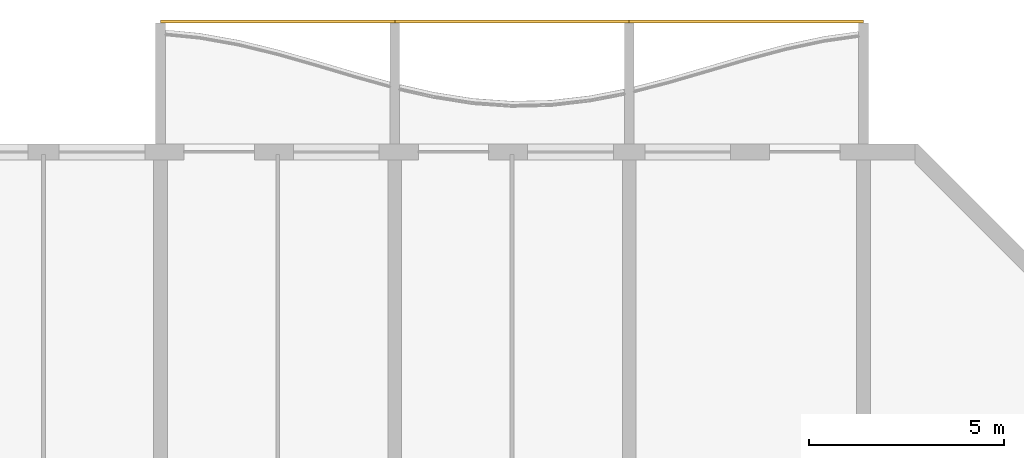
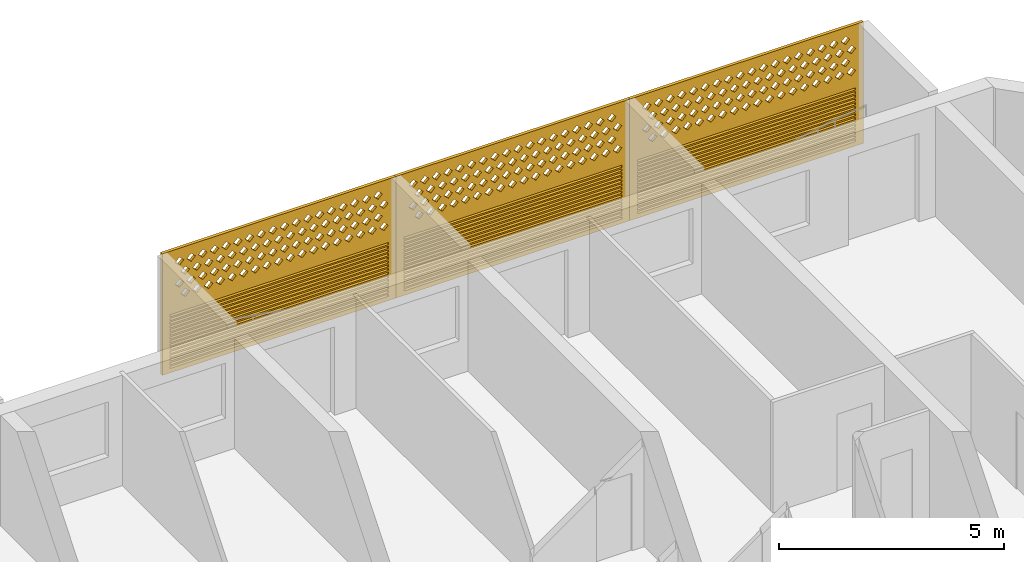
# One storey, part 24 of 24: 3 coverings.
"""IFC4 building model written with IfcOpenShell, lengths in metres."""

import ifcopenshell
import ifcopenshell.guid

model = None  # the IFC model being written
_history = None  # IfcOwnerHistory: only IFC2X3 demands one
_inside = {}  # id of a spatial element -> (the spatial element, [elements in it])
_under = {}  # id of a project, library or spatial element -> (it, [spatial elements below it])
_declared = {}  # id of a project -> (the project, [libraries it declares])
_typed = {}  # id of a type object -> (the type object, [elements of that type])
_made_of = {}  # id of a material, layer set ... -> (it, [elements and type objects made of it])


def new_model(schema):
    """Start an empty IFC model of exactly this schema.

    Asked for "IFC4X3", IfcOpenShell would pick the latest addendum, in which some entities
    have other attributes; the version numbers below select the first issue.
    IFC2X3 requires an IfcOwnerHistory on every rooted entity: one is made here for all.
    """
    global model, _history
    if schema == "IFC4X3":
        model = ifcopenshell.file(schema_version=(4, 3, 0, 0))
    else:
        model = ifcopenshell.file(schema=schema)
    _inside.clear()
    _under.clear()
    _declared.clear()
    _typed.clear()
    _made_of.clear()
    _history = None
    if model.schema == "IFC2X3":
        org = make("IfcOrganization", Name="unknown")
        user = make(
            "IfcPersonAndOrganization",
            ThePerson=make("IfcPerson", FamilyName="unknown"),
            TheOrganization=org,
        )
        app = make(
            "IfcApplication",
            ApplicationDeveloper=org,
            Version="unknown",
            ApplicationFullName="unknown",
            ApplicationIdentifier="unknown",
        )
        _history = make(
            "IfcOwnerHistory",
            OwningUser=user,
            OwningApplication=app,
            ChangeAction="ADDED",
            CreationDate=0,
        )
    return model


def make(cls, **values):
    """One entity of the class cls with the attributes given. An attribute that is None is left unset."""
    return model.create_entity(
        cls, **{name: value for name, value in values.items() if value is not None}
    )


def rooted(cls, **values):
    """An entity with a GlobalId (a new one), such as an element, a storey or a relation."""
    return make(cls, GlobalId=ifcopenshell.guid.new(), OwnerHistory=_history, **values)


def si_unit(unit_type, name, prefix=None):
    """IfcSIUnit, for example si_unit("LENGTHUNIT", "METRE", prefix="MILLI")."""
    return make("IfcSIUnit", UnitType=unit_type, Prefix=prefix, Name=name)


def assignment(units):
    """IfcUnitAssignment: the units of a project."""
    return None if units is None else make("IfcUnitAssignment", Units=units)


def point(xyz):
    """IfcCartesianPoint."""
    return None if xyz is None else make("IfcCartesianPoint", Coordinates=xyz)


def direction(xyz):
    """IfcDirection."""
    return None if xyz is None else make("IfcDirection", DirectionRatios=xyz)


def frame(location, z_axis=None, x_axis=None):
    """IfcAxis2Placement3D, a coordinate frame: its origin and axes. An axis left out is left unset."""
    return make(
        "IfcAxis2Placement3D",
        Location=point(location),
        Axis=direction(z_axis),
        RefDirection=direction(x_axis),
    )


def origin():
    """The frame at (0, 0, 0) with its axes left unset."""
    return frame((0.0, 0.0, 0.0))


def place(relative_to, where):
    """IfcLocalPlacement: puts the frame where relative to a parent placement (None: the world)."""
    return make(
        "IfcLocalPlacement", PlacementRelTo=relative_to, RelativePlacement=where
    )


def context(
    kind, dimensions, precision=None, world=None, true_north=None, identifier=None
):
    """IfcGeometricRepresentationContext, for example the 3D "Model" context."""
    return make(
        "IfcGeometricRepresentationContext",
        ContextIdentifier=identifier,
        ContextType=kind,
        CoordinateSpaceDimension=dimensions,
        Precision=precision,
        WorldCoordinateSystem=world,
        TrueNorth=true_north,
    )


def subcontext(parent, identifier, kind, view, scale=None):
    """IfcGeometricRepresentationSubContext, for example "Body" below "Model"."""
    return make(
        "IfcGeometricRepresentationSubContext",
        ContextIdentifier=identifier,
        ContextType=kind,
        ParentContext=parent,
        TargetScale=scale,
        TargetView=view,
    )


def project(units=None, contexts=None):
    """IfcProject with its units and contexts."""
    return rooted(
        "IfcProject",
        Name="project",
        RepresentationContexts=contexts,
        UnitsInContext=assignment(units),
    )


def spatial(cls, under=None, at=None, **own):
    """A site, building, storey or space (cls), placed at a placement, below another one or the project."""
    s = rooted(cls, ObjectPlacement=at, **own)
    if under is not None:
        _under.setdefault(under.id(), (under, []))[1].append(s)
    return s


def polyline(points):
    """IfcPolyline through the points."""
    return make("IfcPolyline", Points=[point(p) for p in points])


def outline(outer, holes=None, kind="AREA"):
    """IfcArbitraryClosedProfileDef: a profile drawn as a closed curve; with holes, ...WithVoids."""
    if holes is None:
        return make("IfcArbitraryClosedProfileDef", ProfileType=kind, OuterCurve=outer)
    return make(
        "IfcArbitraryProfileDefWithVoids",
        ProfileType=kind,
        OuterCurve=outer,
        InnerCurves=holes,
    )


def extrude(swept, where, along, depth):
    """IfcExtrudedAreaSolid: the profile swept, set in the frame where, extruded along a direction by depth."""
    return make(
        "IfcExtrudedAreaSolid",
        SweptArea=swept,
        Position=where,
        ExtrudedDirection=direction(along),
        Depth=depth,
    )


def shape(context_of_items, identifier, shape_type, items):
    """IfcShapeRepresentation: the items that make up one representation, for example the "Body"."""
    return make(
        "IfcShapeRepresentation",
        ContextOfItems=context_of_items,
        RepresentationIdentifier=identifier,
        RepresentationType=shape_type,
        Items=items,
    )


def source(mapping_origin, context_of_items, identifier, shape_type, items):
    """IfcRepresentationMap: a shape defined once, which mapped items show again and again."""
    return make(
        "IfcRepresentationMap",
        MappingOrigin=mapping_origin,
        MappedRepresentation=shape(context_of_items, identifier, shape_type, items),
    )


def transform(
    local_origin,
    x_axis=None,
    y_axis=None,
    z_axis=None,
    scale=None,
    scale2=None,
    scale3=None,
    uniform=True,
):
    """IfcCartesianTransformationOperator3D, or its non-uniform kind. x_axis, y_axis, z_axis: its Axis1, 2, 3."""
    if uniform:
        return make(
            "IfcCartesianTransformationOperator3D",
            Axis1=direction(x_axis),
            Axis2=direction(y_axis),
            LocalOrigin=point(local_origin),
            Scale=scale,
            Axis3=direction(z_axis),
        )
    return make(
        "IfcCartesianTransformationOperator3DnonUniform",
        Axis1=direction(x_axis),
        Axis2=direction(y_axis),
        LocalOrigin=point(local_origin),
        Scale=scale,
        Axis3=direction(z_axis),
        Scale2=scale2,
        Scale3=scale3,
    )


def mapped(mapping_source, mapping_target):
    """IfcMappedItem: shows the shape of a source again, moved by a transform."""
    return make(
        "IfcMappedItem", MappingSource=mapping_source, MappingTarget=mapping_target
    )


def material(Name=None, Category=None):
    """IfcMaterial."""
    return make("IfcMaterial", Name=Name, Category=Category)


def material_profile(
    of_material, cross_section, Name=None, Category=None, Priority=None
):
    """IfcMaterialProfile: a cross section and its material."""
    return make(
        "IfcMaterialProfile",
        Name=Name,
        Material=of_material,
        Profile=cross_section,
        Priority=Priority,
        Category=Category,
    )


def profile_set(profiles, Name=None, composite=None):
    """IfcMaterialProfileSet."""
    return make(
        "IfcMaterialProfileSet",
        Name=Name,
        MaterialProfiles=profiles,
        CompositeProfile=composite,
    )


def made_of(thing, what):
    """Note that an element or type object is made of a material, layer set ...; save() writes the relation."""
    if what is not None:
        _made_of.setdefault(what.id(), (what, []))[1].append(thing)
    return thing


def type_object(cls, material=None, **own):
    """A type object (cls), such as IfcWallType, which elements share."""
    return made_of(rooted(cls, **own), material)


def element(
    cls,
    number,
    at=None,
    inside=None,
    cuts=None,
    type_object=None,
    material=None,
    context=None,
    identifier="Body",
    shape_type=None,
    held_by="IfcProductDefinitionShape",
    body=None,
    shapes=None,
    **own,
):
    """One element of the class cls, such as IfcWall. Its Tag is "e" and its number.

    at: its placement. inside: the storey or other place that contains it. cuts: it is an
    opening in that element (IfcRelVoidsElement). A single representation is given by context,
    identifier, shape_type and body (its items); several are given by shapes. held_by: the class
    of the entity that holds the representations. save() writes the other relations.
    """
    e = rooted(cls, Tag="e%d" % number, ObjectPlacement=at, **own)
    if body is not None:
        shapes = [shape(context, identifier, shape_type, body)]
    if shapes is not None:
        e.Representation = make(held_by, Representations=shapes)
    if inside is not None:
        _inside.setdefault(inside.id(), (inside, []))[1].append(e)
    if cuts is not None:
        rooted(
            "IfcRelVoidsElement", RelatingBuildingElement=cuts, RelatedOpeningElement=e
        )
    if type_object is not None:
        _typed.setdefault(type_object.id(), (type_object, []))[1].append(e)
    return made_of(e, material)


def aggregate(whole, parts):
    """IfcRelAggregates: a whole, such as a stair, and the parts it consists of."""
    return rooted("IfcRelAggregates", RelatingObject=whole, RelatedObjects=parts)


def save(model, path):
    """Write the relations noted so far, then the file.

    IfcRelAggregates (storeys below a building ...), IfcRelContainedInSpatialStructure (elements
    in a storey), IfcRelDefinesByType, IfcRelAssociatesMaterial and IfcRelDeclares: one each for
    every whole, place, type object, material and project.
    """
    for whole, parts in _under.values():
        aggregate(whole, parts)
    for where, things in _inside.values():
        rooted(
            "IfcRelContainedInSpatialStructure",
            RelatedElements=things,
            RelatingStructure=where,
        )
    for kind, things in _typed.values():
        rooted("IfcRelDefinesByType", RelatedObjects=things, RelatingType=kind)
    for what, things in _made_of.values():
        rooted("IfcRelAssociatesMaterial", RelatedObjects=things, RelatingMaterial=what)
    for by, libraries in _declared.values():
        rooted("IfcRelDeclares", RelatingContext=by, RelatedDefinitions=libraries)
    model.write(path)


model = new_model("IFC4")

# Units and contexts
model_context = context("Model", 3, precision=1e-05, world=origin(), true_north=direction((0.0, 1.0)))
body_context = subcontext(model_context, "Body", "Model", "MODEL_VIEW")
ifc_project = project(units=[si_unit("LENGTHUNIT", "METRE"), si_unit("AREAUNIT", "SQUARE_METRE"), si_unit("VOLUMEUNIT", "CUBIC_METRE"), si_unit("PLANEANGLEUNIT", "RADIAN"), si_unit("MASSUNIT", "GRAM", prefix="KILO")], contexts=[model_context])

# Site, building, storey
site_placement = place(None, origin())
site = spatial("IfcSite", under=ifc_project, at=site_placement, CompositionType="ELEMENT")
building_placement = place(site_placement, origin())
building = spatial("IfcBuilding", under=site, at=building_placement, Name="Poui Terraces", CompositionType="ELEMENT")
storey_placement = place(building_placement, frame((0.0, 0.0, 102.60009765625)))
storey = spatial("IfcBuildingStorey", under=building, at=storey_placement, Name="L28", CompositionType="ELEMENT", Elevation=102.60009765625)

# Coverings
ifc_material = material(Name="Terracotta screen", Category="masonry")
ifc_material_profile = material_profile(ifc_material, outline(polyline([(-3.0, -1.64990234375), (3.0, -1.64990234375), (3.0, 1.64990234375), (-3.0, 1.64990234375), (-3.0, -1.64990234375)]), holes=[polyline([(-2.800048828125, 0.39990234375), (-2.68994140625, 0.2900390625), (-2.580078125, 0.39990234375), (-2.68994140625, 0.510009765625), (-2.800048828125, 0.39990234375)]), polyline([(-2.5, 0.39990234375), (-2.389892578125, 0.2900390625), (-2.280029296875, 0.39990234375), (-2.389892578125, 0.510009765625), (-2.5, 0.39990234375)]), polyline([(-2.199951171875, 0.39990234375), (-2.090087890625, 0.2900390625), (-1.97998046875, 0.39990234375), (-2.090087890625, 0.510009765625), (-2.199951171875, 0.39990234375)]), polyline([(-1.89990234375, 0.39990234375), (-1.7900390625, 0.2900390625), (-1.679931640625, 0.39990234375), (-1.7900390625, 0.510009765625), (-1.89990234375, 0.39990234375)]), polyline([(-1.60009765625, 0.39990234375), (-1.489990234375, 0.2900390625), (-1.3798828125, 0.39990234375), (-1.489990234375, 0.510009765625), (-1.60009765625, 0.39990234375)]), polyline([(-1.300048828125, 0.39990234375), (-1.18994140625, 0.2900390625), (-1.080078125, 0.39990234375), (-1.18994140625, 0.510009765625), (-1.300048828125, 0.39990234375)]), polyline([(-1.0, 0.39990234375), (-0.889892578125, 0.2900390625), (-0.780029296875, 0.39990234375), (-0.889892578125, 0.510009765625), (-1.0, 0.39990234375)]), polyline([(-0.699951171875, 0.39990234375), (-0.590087890625, 0.2900390625), (-0.47998046875, 0.39990234375), (-0.590087890625, 0.510009765625), (-0.699951171875, 0.39990234375)]), polyline([(-0.39990234375, 0.39990234375), (-0.2900390625, 0.2900390625), (-0.179931640625, 0.39990234375), (-0.2900390625, 0.510009765625), (-0.39990234375, 0.39990234375)]), polyline([(-0.10009765625, 0.39990234375), (0.010009765625, 0.2900390625), (0.1201171875, 0.39990234375), (0.010009765625, 0.510009765625), (-0.10009765625, 0.39990234375)]), polyline([(0.199951171875, 0.39990234375), (0.31005859375, 0.2900390625), (0.419921875, 0.39990234375), (0.31005859375, 0.510009765625), (0.199951171875, 0.39990234375)]), polyline([(0.5, 0.39990234375), (0.610107421875, 0.2900390625), (0.719970703125, 0.39990234375), (0.610107421875, 0.510009765625), (0.5, 0.39990234375)]), polyline([(0.800048828125, 0.39990234375), (0.909912109375, 0.2900390625), (1.02001953125, 0.39990234375), (0.909912109375, 0.510009765625), (0.800048828125, 0.39990234375)]), polyline([(1.10009765625, 0.39990234375), (1.2099609375, 0.2900390625), (1.320068359375, 0.39990234375), (1.2099609375, 0.510009765625), (1.10009765625, 0.39990234375)]), polyline([(1.39990234375, 0.39990234375), (1.510009765625, 0.2900390625), (1.6201171875, 0.39990234375), (1.510009765625, 0.510009765625), (1.39990234375, 0.39990234375)]), polyline([(1.699951171875, 0.39990234375), (1.81005859375, 0.2900390625), (1.919921875, 0.39990234375), (1.81005859375, 0.510009765625), (1.699951171875, 0.39990234375)]), polyline([(2.0, 0.39990234375), (2.110107421875, 0.2900390625), (2.219970703125, 0.39990234375), (2.110107421875, 0.510009765625), (2.0, 0.39990234375)]), polyline([(2.300048828125, 0.39990234375), (2.409912109375, 0.2900390625), (2.52001953125, 0.39990234375), (2.409912109375, 0.510009765625), (2.300048828125, 0.39990234375)]), polyline([(-2.64990234375, 0.699951171875), (-2.5400390625, 0.590087890625), (-2.429931640625, 0.699951171875), (-2.5400390625, 0.81005859375), (-2.64990234375, 0.699951171875)]), polyline([(-2.35009765625, 0.699951171875), (-2.239990234375, 0.590087890625), (-2.1298828125, 0.699951171875), (-2.239990234375, 0.81005859375), (-2.35009765625, 0.699951171875)]), polyline([(-2.050048828125, 0.699951171875), (-1.93994140625, 0.590087890625), (-1.830078125, 0.699951171875), (-1.93994140625, 0.81005859375), (-2.050048828125, 0.699951171875)]), polyline([(-1.75, 0.699951171875), (-1.639892578125, 0.590087890625), (-1.530029296875, 0.699951171875), (-1.639892578125, 0.81005859375), (-1.75, 0.699951171875)]), polyline([(-1.449951171875, 0.699951171875), (-1.340087890625, 0.590087890625), (-1.22998046875, 0.699951171875), (-1.340087890625, 0.81005859375), (-1.449951171875, 0.699951171875)]), polyline([(-1.14990234375, 0.699951171875), (-1.0400390625, 0.590087890625), (-0.929931640625, 0.699951171875), (-1.0400390625, 0.81005859375), (-1.14990234375, 0.699951171875)]), polyline([(-0.85009765625, 0.699951171875), (-0.739990234375, 0.590087890625), (-0.6298828125, 0.699951171875), (-0.739990234375, 0.81005859375), (-0.85009765625, 0.699951171875)]), polyline([(-0.550048828125, 0.699951171875), (-0.43994140625, 0.590087890625), (-0.330078125, 0.699951171875), (-0.43994140625, 0.81005859375), (-0.550048828125, 0.699951171875)]), polyline([(-0.25, 0.699951171875), (-0.139892578125, 0.590087890625), (-0.030029296875, 0.699951171875), (-0.139892578125, 0.81005859375), (-0.25, 0.699951171875)]), polyline([(0.050048828125, 0.699951171875), (0.159912109375, 0.590087890625), (0.27001953125, 0.699951171875), (0.159912109375, 0.81005859375), (0.050048828125, 0.699951171875)]), polyline([(0.35009765625, 0.699951171875), (0.4599609375, 0.590087890625), (0.570068359375, 0.699951171875), (0.4599609375, 0.81005859375), (0.35009765625, 0.699951171875)]), polyline([(0.64990234375, 0.699951171875), (0.760009765625, 0.590087890625), (0.8701171875, 0.699951171875), (0.760009765625, 0.81005859375), (0.64990234375, 0.699951171875)]), polyline([(0.949951171875, 0.699951171875), (1.06005859375, 0.590087890625), (1.169921875, 0.699951171875), (1.06005859375, 0.81005859375), (0.949951171875, 0.699951171875)]), polyline([(1.25, 0.699951171875), (1.360107421875, 0.590087890625), (1.469970703125, 0.699951171875), (1.360107421875, 0.81005859375), (1.25, 0.699951171875)]), polyline([(1.550048828125, 0.699951171875), (1.659912109375, 0.590087890625), (1.77001953125, 0.699951171875), (1.659912109375, 0.81005859375), (1.550048828125, 0.699951171875)]), polyline([(1.85009765625, 0.699951171875), (1.9599609375, 0.590087890625), (2.070068359375, 0.699951171875), (1.9599609375, 0.81005859375), (1.85009765625, 0.699951171875)]), polyline([(2.14990234375, 0.699951171875), (2.260009765625, 0.590087890625), (2.3701171875, 0.699951171875), (2.260009765625, 0.81005859375), (2.14990234375, 0.699951171875)]), polyline([(2.449951171875, 0.699951171875), (2.56005859375, 0.590087890625), (2.669921875, 0.699951171875), (2.56005859375, 0.81005859375), (2.449951171875, 0.699951171875)]), polyline([(-2.800048828125, 1.0), (-2.68994140625, 0.889892578125), (-2.580078125, 1.0), (-2.68994140625, 1.110107421875), (-2.800048828125, 1.0)]), polyline([(-2.5, 1.0), (-2.389892578125, 0.889892578125), (-2.280029296875, 1.0), (-2.389892578125, 1.110107421875), (-2.5, 1.0)]), polyline([(-2.199951171875, 1.0), (-2.090087890625, 0.889892578125), (-1.97998046875, 1.0), (-2.090087890625, 1.110107421875), (-2.199951171875, 1.0)]), polyline([(-1.89990234375, 1.0), (-1.7900390625, 0.889892578125), (-1.679931640625, 1.0), (-1.7900390625, 1.110107421875), (-1.89990234375, 1.0)]), polyline([(-1.60009765625, 1.0), (-1.489990234375, 0.889892578125), (-1.3798828125, 1.0), (-1.489990234375, 1.110107421875), (-1.60009765625, 1.0)]), polyline([(-1.300048828125, 1.0), (-1.18994140625, 0.889892578125), (-1.080078125, 1.0), (-1.18994140625, 1.110107421875), (-1.300048828125, 1.0)]), polyline([(-1.0, 1.0), (-0.889892578125, 0.889892578125), (-0.780029296875, 1.0), (-0.889892578125, 1.110107421875), (-1.0, 1.0)]), polyline([(-0.699951171875, 1.0), (-0.590087890625, 0.889892578125), (-0.47998046875, 1.0), (-0.590087890625, 1.110107421875), (-0.699951171875, 1.0)]), polyline([(-0.39990234375, 1.0), (-0.2900390625, 0.889892578125), (-0.179931640625, 1.0), (-0.2900390625, 1.110107421875), (-0.39990234375, 1.0)]), polyline([(-0.10009765625, 1.0), (0.010009765625, 0.889892578125), (0.1201171875, 1.0), (0.010009765625, 1.110107421875), (-0.10009765625, 1.0)]), polyline([(0.199951171875, 1.0), (0.31005859375, 0.889892578125), (0.419921875, 1.0), (0.31005859375, 1.110107421875), (0.199951171875, 1.0)]), polyline([(0.5, 1.0), (0.610107421875, 0.889892578125), (0.719970703125, 1.0), (0.610107421875, 1.110107421875), (0.5, 1.0)]), polyline([(0.800048828125, 1.0), (0.909912109375, 0.889892578125), (1.02001953125, 1.0), (0.909912109375, 1.110107421875), (0.800048828125, 1.0)]), polyline([(1.10009765625, 1.0), (1.2099609375, 0.889892578125), (1.320068359375, 1.0), (1.2099609375, 1.110107421875), (1.10009765625, 1.0)]), polyline([(1.39990234375, 1.0), (1.510009765625, 0.889892578125), (1.6201171875, 1.0), (1.510009765625, 1.110107421875), (1.39990234375, 1.0)]), polyline([(1.699951171875, 1.0), (1.81005859375, 0.889892578125), (1.919921875, 1.0), (1.81005859375, 1.110107421875), (1.699951171875, 1.0)]), polyline([(2.0, 1.0), (2.110107421875, 0.889892578125), (2.219970703125, 1.0), (2.110107421875, 1.110107421875), (2.0, 1.0)]), polyline([(2.300048828125, 1.0), (2.409912109375, 0.889892578125), (2.52001953125, 1.0), (2.409912109375, 1.110107421875), (2.300048828125, 1.0)]), polyline([(-2.64990234375, 1.300048828125), (-2.5400390625, 1.18994140625), (-2.429931640625, 1.300048828125), (-2.5400390625, 1.409912109375), (-2.64990234375, 1.300048828125)]), polyline([(-2.35009765625, 1.300048828125), (-2.239990234375, 1.18994140625), (-2.1298828125, 1.300048828125), (-2.239990234375, 1.409912109375), (-2.35009765625, 1.300048828125)]), polyline([(-2.050048828125, 1.300048828125), (-1.93994140625, 1.18994140625), (-1.830078125, 1.300048828125), (-1.93994140625, 1.409912109375), (-2.050048828125, 1.300048828125)]), polyline([(-1.75, 1.300048828125), (-1.639892578125, 1.18994140625), (-1.530029296875, 1.300048828125), (-1.639892578125, 1.409912109375), (-1.75, 1.300048828125)]), polyline([(-1.449951171875, 1.300048828125), (-1.340087890625, 1.18994140625), (-1.22998046875, 1.300048828125), (-1.340087890625, 1.409912109375), (-1.449951171875, 1.300048828125)]), polyline([(-1.14990234375, 1.300048828125), (-1.0400390625, 1.18994140625), (-0.929931640625, 1.300048828125), (-1.0400390625, 1.409912109375), (-1.14990234375, 1.300048828125)]), polyline([(-0.85009765625, 1.300048828125), (-0.739990234375, 1.18994140625), (-0.6298828125, 1.300048828125), (-0.739990234375, 1.409912109375), (-0.85009765625, 1.300048828125)]), polyline([(-0.550048828125, 1.300048828125), (-0.43994140625, 1.18994140625), (-0.330078125, 1.300048828125), (-0.43994140625, 1.409912109375), (-0.550048828125, 1.300048828125)]), polyline([(-0.25, 1.300048828125), (-0.139892578125, 1.18994140625), (-0.030029296875, 1.300048828125), (-0.139892578125, 1.409912109375), (-0.25, 1.300048828125)]), polyline([(0.050048828125, 1.300048828125), (0.159912109375, 1.18994140625), (0.27001953125, 1.300048828125), (0.159912109375, 1.409912109375), (0.050048828125, 1.300048828125)]), polyline([(0.35009765625, 1.300048828125), (0.4599609375, 1.18994140625), (0.570068359375, 1.300048828125), (0.4599609375, 1.409912109375), (0.35009765625, 1.300048828125)]), polyline([(0.64990234375, 1.300048828125), (0.760009765625, 1.18994140625), (0.8701171875, 1.300048828125), (0.760009765625, 1.409912109375), (0.64990234375, 1.300048828125)]), polyline([(0.949951171875, 1.300048828125), (1.06005859375, 1.18994140625), (1.169921875, 1.300048828125), (1.06005859375, 1.409912109375), (0.949951171875, 1.300048828125)]), polyline([(1.25, 1.300048828125), (1.360107421875, 1.18994140625), (1.469970703125, 1.300048828125), (1.360107421875, 1.409912109375), (1.25, 1.300048828125)]), polyline([(1.550048828125, 1.300048828125), (1.659912109375, 1.18994140625), (1.77001953125, 1.300048828125), (1.659912109375, 1.409912109375), (1.550048828125, 1.300048828125)]), polyline([(1.85009765625, 1.300048828125), (1.9599609375, 1.18994140625), (2.070068359375, 1.300048828125), (1.9599609375, 1.409912109375), (1.85009765625, 1.300048828125)]), polyline([(2.14990234375, 1.300048828125), (2.260009765625, 1.18994140625), (2.3701171875, 1.300048828125), (2.260009765625, 1.409912109375), (2.14990234375, 1.300048828125)]), polyline([(2.449951171875, 1.300048828125), (2.56005859375, 1.18994140625), (2.669921875, 1.300048828125), (2.56005859375, 1.409912109375), (2.449951171875, 1.300048828125)]), polyline([(-2.800048828125, -1.530029296875), (2.800048828125, -1.530029296875), (2.800048828125, -1.469970703125), (-2.800048828125, -1.469970703125), (-2.800048828125, -1.530029296875)]), polyline([(-2.800048828125, -1.429931640625), (2.800048828125, -1.429931640625), (2.800048828125, -1.3701171875), (-2.800048828125, -1.3701171875), (-2.800048828125, -1.429931640625)]), polyline([(-2.800048828125, -1.330078125), (2.800048828125, -1.330078125), (2.800048828125, -1.27001953125), (-2.800048828125, -1.27001953125), (-2.800048828125, -1.330078125)]), polyline([(-2.800048828125, -1.22998046875), (2.800048828125, -1.22998046875), (2.800048828125, -1.169921875), (-2.800048828125, -1.169921875), (-2.800048828125, -1.22998046875)]), polyline([(-2.800048828125, -1.1298828125), (2.800048828125, -1.1298828125), (2.800048828125, -1.070068359375), (-2.800048828125, -1.070068359375), (-2.800048828125, -1.1298828125)]), polyline([(-2.800048828125, -1.030029296875), (2.800048828125, -1.030029296875), (2.800048828125, -0.969970703125), (-2.800048828125, -0.969970703125), (-2.800048828125, -1.030029296875)]), polyline([(-2.800048828125, -0.929931640625), (2.800048828125, -0.929931640625), (2.800048828125, -0.8701171875), (-2.800048828125, -0.8701171875), (-2.800048828125, -0.929931640625)]), polyline([(-2.800048828125, -0.830078125), (2.800048828125, -0.830078125), (2.800048828125, -0.77001953125), (-2.800048828125, -0.77001953125), (-2.800048828125, -0.830078125)]), polyline([(-2.800048828125, -0.72998046875), (2.800048828125, -0.72998046875), (2.800048828125, -0.669921875), (-2.800048828125, -0.669921875), (-2.800048828125, -0.72998046875)]), polyline([(-2.800048828125, -0.6298828125), (2.800048828125, -0.6298828125), (2.800048828125, -0.570068359375), (-2.800048828125, -0.570068359375), (-2.800048828125, -0.6298828125)]), polyline([(-2.800048828125, -0.530029296875), (2.800048828125, -0.530029296875), (2.800048828125, -0.469970703125), (-2.800048828125, -0.469970703125), (-2.800048828125, -0.530029296875)]), polyline([(-2.800048828125, -0.429931640625), (2.800048828125, -0.429931640625), (2.800048828125, -0.3701171875), (-2.800048828125, -0.3701171875), (-2.800048828125, -0.429931640625)]), polyline([(-2.800048828125, -0.330078125), (2.800048828125, -0.330078125), (2.800048828125, -0.27001953125), (-2.800048828125, -0.27001953125), (-2.800048828125, -0.330078125)]), polyline([(-2.800048828125, -0.22998046875), (2.800048828125, -0.22998046875), (2.800048828125, -0.169921875), (-2.800048828125, -0.169921875), (-2.800048828125, -0.22998046875)]), polyline([(-2.800048828125, -0.1298828125), (2.800048828125, -0.1298828125), (2.800048828125, -0.070068359375), (-2.800048828125, -0.070068359375), (-2.800048828125, -0.1298828125)])]), Name="TERRACOTTA SCREEN AND JALOUSIE LOUVRE 6000X3300")
ifc_profile_set = profile_set([ifc_material_profile], Name="Terracotta screen")
covering_type = type_object("IfcCoveringType", Name="TERRACOTTA SCREEN AND JALOUSIE LOUVRE 6000X3300", PredefinedType="CLADDING", material=ifc_profile_set)
shared_shape = source(origin(), body_context, "Body", "SweptSolid", [
    extrude(outline(polyline([(-3.0, -1.64990234375), (3.0, -1.64990234375), (3.0, 1.64990234375), (-3.0, 1.64990234375), (-3.0, -1.64990234375)]), holes=[polyline([(-2.800048828125, 0.39990234375), (-2.68994140625, 0.2900390625), (-2.580078125, 0.39990234375), (-2.68994140625, 0.510009765625), (-2.800048828125, 0.39990234375)]), polyline([(-2.5, 0.39990234375), (-2.389892578125, 0.2900390625), (-2.280029296875, 0.39990234375), (-2.389892578125, 0.510009765625), (-2.5, 0.39990234375)]), polyline([(-2.199951171875, 0.39990234375), (-2.090087890625, 0.2900390625), (-1.97998046875, 0.39990234375), (-2.090087890625, 0.510009765625), (-2.199951171875, 0.39990234375)]), polyline([(-1.89990234375, 0.39990234375), (-1.7900390625, 0.2900390625), (-1.679931640625, 0.39990234375), (-1.7900390625, 0.510009765625), (-1.89990234375, 0.39990234375)]), polyline([(-1.60009765625, 0.39990234375), (-1.489990234375, 0.2900390625), (-1.3798828125, 0.39990234375), (-1.489990234375, 0.510009765625), (-1.60009765625, 0.39990234375)]), polyline([(-1.300048828125, 0.39990234375), (-1.18994140625, 0.2900390625), (-1.080078125, 0.39990234375), (-1.18994140625, 0.510009765625), (-1.300048828125, 0.39990234375)]), polyline([(-1.0, 0.39990234375), (-0.889892578125, 0.2900390625), (-0.780029296875, 0.39990234375), (-0.889892578125, 0.510009765625), (-1.0, 0.39990234375)]), polyline([(-0.699951171875, 0.39990234375), (-0.590087890625, 0.2900390625), (-0.47998046875, 0.39990234375), (-0.590087890625, 0.510009765625), (-0.699951171875, 0.39990234375)]), polyline([(-0.39990234375, 0.39990234375), (-0.2900390625, 0.2900390625), (-0.179931640625, 0.39990234375), (-0.2900390625, 0.510009765625), (-0.39990234375, 0.39990234375)]), polyline([(-0.10009765625, 0.39990234375), (0.010009765625, 0.2900390625), (0.1201171875, 0.39990234375), (0.010009765625, 0.510009765625), (-0.10009765625, 0.39990234375)]), polyline([(0.199951171875, 0.39990234375), (0.31005859375, 0.2900390625), (0.419921875, 0.39990234375), (0.31005859375, 0.510009765625), (0.199951171875, 0.39990234375)]), polyline([(0.5, 0.39990234375), (0.610107421875, 0.2900390625), (0.719970703125, 0.39990234375), (0.610107421875, 0.510009765625), (0.5, 0.39990234375)]), polyline([(0.800048828125, 0.39990234375), (0.909912109375, 0.2900390625), (1.02001953125, 0.39990234375), (0.909912109375, 0.510009765625), (0.800048828125, 0.39990234375)]), polyline([(1.10009765625, 0.39990234375), (1.2099609375, 0.2900390625), (1.320068359375, 0.39990234375), (1.2099609375, 0.510009765625), (1.10009765625, 0.39990234375)]), polyline([(1.39990234375, 0.39990234375), (1.510009765625, 0.2900390625), (1.6201171875, 0.39990234375), (1.510009765625, 0.510009765625), (1.39990234375, 0.39990234375)]), polyline([(1.699951171875, 0.39990234375), (1.81005859375, 0.2900390625), (1.919921875, 0.39990234375), (1.81005859375, 0.510009765625), (1.699951171875, 0.39990234375)]), polyline([(2.0, 0.39990234375), (2.110107421875, 0.2900390625), (2.219970703125, 0.39990234375), (2.110107421875, 0.510009765625), (2.0, 0.39990234375)]), polyline([(2.300048828125, 0.39990234375), (2.409912109375, 0.2900390625), (2.52001953125, 0.39990234375), (2.409912109375, 0.510009765625), (2.300048828125, 0.39990234375)]), polyline([(-2.64990234375, 0.699951171875), (-2.5400390625, 0.590087890625), (-2.429931640625, 0.699951171875), (-2.5400390625, 0.81005859375), (-2.64990234375, 0.699951171875)]), polyline([(-2.35009765625, 0.699951171875), (-2.239990234375, 0.590087890625), (-2.1298828125, 0.699951171875), (-2.239990234375, 0.81005859375), (-2.35009765625, 0.699951171875)]), polyline([(-2.050048828125, 0.699951171875), (-1.93994140625, 0.590087890625), (-1.830078125, 0.699951171875), (-1.93994140625, 0.81005859375), (-2.050048828125, 0.699951171875)]), polyline([(-1.75, 0.699951171875), (-1.639892578125, 0.590087890625), (-1.530029296875, 0.699951171875), (-1.639892578125, 0.81005859375), (-1.75, 0.699951171875)]), polyline([(-1.449951171875, 0.699951171875), (-1.340087890625, 0.590087890625), (-1.22998046875, 0.699951171875), (-1.340087890625, 0.81005859375), (-1.449951171875, 0.699951171875)]), polyline([(-1.14990234375, 0.699951171875), (-1.0400390625, 0.590087890625), (-0.929931640625, 0.699951171875), (-1.0400390625, 0.81005859375), (-1.14990234375, 0.699951171875)]), polyline([(-0.85009765625, 0.699951171875), (-0.739990234375, 0.590087890625), (-0.6298828125, 0.699951171875), (-0.739990234375, 0.81005859375), (-0.85009765625, 0.699951171875)]), polyline([(-0.550048828125, 0.699951171875), (-0.43994140625, 0.590087890625), (-0.330078125, 0.699951171875), (-0.43994140625, 0.81005859375), (-0.550048828125, 0.699951171875)]), polyline([(-0.25, 0.699951171875), (-0.139892578125, 0.590087890625), (-0.030029296875, 0.699951171875), (-0.139892578125, 0.81005859375), (-0.25, 0.699951171875)]), polyline([(0.050048828125, 0.699951171875), (0.159912109375, 0.590087890625), (0.27001953125, 0.699951171875), (0.159912109375, 0.81005859375), (0.050048828125, 0.699951171875)]), polyline([(0.35009765625, 0.699951171875), (0.4599609375, 0.590087890625), (0.570068359375, 0.699951171875), (0.4599609375, 0.81005859375), (0.35009765625, 0.699951171875)]), polyline([(0.64990234375, 0.699951171875), (0.760009765625, 0.590087890625), (0.8701171875, 0.699951171875), (0.760009765625, 0.81005859375), (0.64990234375, 0.699951171875)]), polyline([(0.949951171875, 0.699951171875), (1.06005859375, 0.590087890625), (1.169921875, 0.699951171875), (1.06005859375, 0.81005859375), (0.949951171875, 0.699951171875)]), polyline([(1.25, 0.699951171875), (1.360107421875, 0.590087890625), (1.469970703125, 0.699951171875), (1.360107421875, 0.81005859375), (1.25, 0.699951171875)]), polyline([(1.550048828125, 0.699951171875), (1.659912109375, 0.590087890625), (1.77001953125, 0.699951171875), (1.659912109375, 0.81005859375), (1.550048828125, 0.699951171875)]), polyline([(1.85009765625, 0.699951171875), (1.9599609375, 0.590087890625), (2.070068359375, 0.699951171875), (1.9599609375, 0.81005859375), (1.85009765625, 0.699951171875)]), polyline([(2.14990234375, 0.699951171875), (2.260009765625, 0.590087890625), (2.3701171875, 0.699951171875), (2.260009765625, 0.81005859375), (2.14990234375, 0.699951171875)]), polyline([(2.449951171875, 0.699951171875), (2.56005859375, 0.590087890625), (2.669921875, 0.699951171875), (2.56005859375, 0.81005859375), (2.449951171875, 0.699951171875)]), polyline([(-2.800048828125, 1.0), (-2.68994140625, 0.889892578125), (-2.580078125, 1.0), (-2.68994140625, 1.110107421875), (-2.800048828125, 1.0)]), polyline([(-2.5, 1.0), (-2.389892578125, 0.889892578125), (-2.280029296875, 1.0), (-2.389892578125, 1.110107421875), (-2.5, 1.0)]), polyline([(-2.199951171875, 1.0), (-2.090087890625, 0.889892578125), (-1.97998046875, 1.0), (-2.090087890625, 1.110107421875), (-2.199951171875, 1.0)]), polyline([(-1.89990234375, 1.0), (-1.7900390625, 0.889892578125), (-1.679931640625, 1.0), (-1.7900390625, 1.110107421875), (-1.89990234375, 1.0)]), polyline([(-1.60009765625, 1.0), (-1.489990234375, 0.889892578125), (-1.3798828125, 1.0), (-1.489990234375, 1.110107421875), (-1.60009765625, 1.0)]), polyline([(-1.300048828125, 1.0), (-1.18994140625, 0.889892578125), (-1.080078125, 1.0), (-1.18994140625, 1.110107421875), (-1.300048828125, 1.0)]), polyline([(-1.0, 1.0), (-0.889892578125, 0.889892578125), (-0.780029296875, 1.0), (-0.889892578125, 1.110107421875), (-1.0, 1.0)]), polyline([(-0.699951171875, 1.0), (-0.590087890625, 0.889892578125), (-0.47998046875, 1.0), (-0.590087890625, 1.110107421875), (-0.699951171875, 1.0)]), polyline([(-0.39990234375, 1.0), (-0.2900390625, 0.889892578125), (-0.179931640625, 1.0), (-0.2900390625, 1.110107421875), (-0.39990234375, 1.0)]), polyline([(-0.10009765625, 1.0), (0.010009765625, 0.889892578125), (0.1201171875, 1.0), (0.010009765625, 1.110107421875), (-0.10009765625, 1.0)]), polyline([(0.199951171875, 1.0), (0.31005859375, 0.889892578125), (0.419921875, 1.0), (0.31005859375, 1.110107421875), (0.199951171875, 1.0)]), polyline([(0.5, 1.0), (0.610107421875, 0.889892578125), (0.719970703125, 1.0), (0.610107421875, 1.110107421875), (0.5, 1.0)]), polyline([(0.800048828125, 1.0), (0.909912109375, 0.889892578125), (1.02001953125, 1.0), (0.909912109375, 1.110107421875), (0.800048828125, 1.0)]), polyline([(1.10009765625, 1.0), (1.2099609375, 0.889892578125), (1.320068359375, 1.0), (1.2099609375, 1.110107421875), (1.10009765625, 1.0)]), polyline([(1.39990234375, 1.0), (1.510009765625, 0.889892578125), (1.6201171875, 1.0), (1.510009765625, 1.110107421875), (1.39990234375, 1.0)]), polyline([(1.699951171875, 1.0), (1.81005859375, 0.889892578125), (1.919921875, 1.0), (1.81005859375, 1.110107421875), (1.699951171875, 1.0)]), polyline([(2.0, 1.0), (2.110107421875, 0.889892578125), (2.219970703125, 1.0), (2.110107421875, 1.110107421875), (2.0, 1.0)]), polyline([(2.300048828125, 1.0), (2.409912109375, 0.889892578125), (2.52001953125, 1.0), (2.409912109375, 1.110107421875), (2.300048828125, 1.0)]), polyline([(-2.64990234375, 1.300048828125), (-2.5400390625, 1.18994140625), (-2.429931640625, 1.300048828125), (-2.5400390625, 1.409912109375), (-2.64990234375, 1.300048828125)]), polyline([(-2.35009765625, 1.300048828125), (-2.239990234375, 1.18994140625), (-2.1298828125, 1.300048828125), (-2.239990234375, 1.409912109375), (-2.35009765625, 1.300048828125)]), polyline([(-2.050048828125, 1.300048828125), (-1.93994140625, 1.18994140625), (-1.830078125, 1.300048828125), (-1.93994140625, 1.409912109375), (-2.050048828125, 1.300048828125)]), polyline([(-1.75, 1.300048828125), (-1.639892578125, 1.18994140625), (-1.530029296875, 1.300048828125), (-1.639892578125, 1.409912109375), (-1.75, 1.300048828125)]), polyline([(-1.449951171875, 1.300048828125), (-1.340087890625, 1.18994140625), (-1.22998046875, 1.300048828125), (-1.340087890625, 1.409912109375), (-1.449951171875, 1.300048828125)]), polyline([(-1.14990234375, 1.300048828125), (-1.0400390625, 1.18994140625), (-0.929931640625, 1.300048828125), (-1.0400390625, 1.409912109375), (-1.14990234375, 1.300048828125)]), polyline([(-0.85009765625, 1.300048828125), (-0.739990234375, 1.18994140625), (-0.6298828125, 1.300048828125), (-0.739990234375, 1.409912109375), (-0.85009765625, 1.300048828125)]), polyline([(-0.550048828125, 1.300048828125), (-0.43994140625, 1.18994140625), (-0.330078125, 1.300048828125), (-0.43994140625, 1.409912109375), (-0.550048828125, 1.300048828125)]), polyline([(-0.25, 1.300048828125), (-0.139892578125, 1.18994140625), (-0.030029296875, 1.300048828125), (-0.139892578125, 1.409912109375), (-0.25, 1.300048828125)]), polyline([(0.050048828125, 1.300048828125), (0.159912109375, 1.18994140625), (0.27001953125, 1.300048828125), (0.159912109375, 1.409912109375), (0.050048828125, 1.300048828125)]), polyline([(0.35009765625, 1.300048828125), (0.4599609375, 1.18994140625), (0.570068359375, 1.300048828125), (0.4599609375, 1.409912109375), (0.35009765625, 1.300048828125)]), polyline([(0.64990234375, 1.300048828125), (0.760009765625, 1.18994140625), (0.8701171875, 1.300048828125), (0.760009765625, 1.409912109375), (0.64990234375, 1.300048828125)]), polyline([(0.949951171875, 1.300048828125), (1.06005859375, 1.18994140625), (1.169921875, 1.300048828125), (1.06005859375, 1.409912109375), (0.949951171875, 1.300048828125)]), polyline([(1.25, 1.300048828125), (1.360107421875, 1.18994140625), (1.469970703125, 1.300048828125), (1.360107421875, 1.409912109375), (1.25, 1.300048828125)]), polyline([(1.550048828125, 1.300048828125), (1.659912109375, 1.18994140625), (1.77001953125, 1.300048828125), (1.659912109375, 1.409912109375), (1.550048828125, 1.300048828125)]), polyline([(1.85009765625, 1.300048828125), (1.9599609375, 1.18994140625), (2.070068359375, 1.300048828125), (1.9599609375, 1.409912109375), (1.85009765625, 1.300048828125)]), polyline([(2.14990234375, 1.300048828125), (2.260009765625, 1.18994140625), (2.3701171875, 1.300048828125), (2.260009765625, 1.409912109375), (2.14990234375, 1.300048828125)]), polyline([(2.449951171875, 1.300048828125), (2.56005859375, 1.18994140625), (2.669921875, 1.300048828125), (2.56005859375, 1.409912109375), (2.449951171875, 1.300048828125)]), polyline([(-2.800048828125, -1.530029296875), (2.800048828125, -1.530029296875), (2.800048828125, -1.469970703125), (-2.800048828125, -1.469970703125), (-2.800048828125, -1.530029296875)]), polyline([(-2.800048828125, -1.429931640625), (2.800048828125, -1.429931640625), (2.800048828125, -1.3701171875), (-2.800048828125, -1.3701171875), (-2.800048828125, -1.429931640625)]), polyline([(-2.800048828125, -1.330078125), (2.800048828125, -1.330078125), (2.800048828125, -1.27001953125), (-2.800048828125, -1.27001953125), (-2.800048828125, -1.330078125)]), polyline([(-2.800048828125, -1.22998046875), (2.800048828125, -1.22998046875), (2.800048828125, -1.169921875), (-2.800048828125, -1.169921875), (-2.800048828125, -1.22998046875)]), polyline([(-2.800048828125, -1.1298828125), (2.800048828125, -1.1298828125), (2.800048828125, -1.070068359375), (-2.800048828125, -1.070068359375), (-2.800048828125, -1.1298828125)]), polyline([(-2.800048828125, -1.030029296875), (2.800048828125, -1.030029296875), (2.800048828125, -0.969970703125), (-2.800048828125, -0.969970703125), (-2.800048828125, -1.030029296875)]), polyline([(-2.800048828125, -0.929931640625), (2.800048828125, -0.929931640625), (2.800048828125, -0.8701171875), (-2.800048828125, -0.8701171875), (-2.800048828125, -0.929931640625)]), polyline([(-2.800048828125, -0.830078125), (2.800048828125, -0.830078125), (2.800048828125, -0.77001953125), (-2.800048828125, -0.77001953125), (-2.800048828125, -0.830078125)]), polyline([(-2.800048828125, -0.72998046875), (2.800048828125, -0.72998046875), (2.800048828125, -0.669921875), (-2.800048828125, -0.669921875), (-2.800048828125, -0.72998046875)]), polyline([(-2.800048828125, -0.6298828125), (2.800048828125, -0.6298828125), (2.800048828125, -0.570068359375), (-2.800048828125, -0.570068359375), (-2.800048828125, -0.6298828125)]), polyline([(-2.800048828125, -0.530029296875), (2.800048828125, -0.530029296875), (2.800048828125, -0.469970703125), (-2.800048828125, -0.469970703125), (-2.800048828125, -0.530029296875)]), polyline([(-2.800048828125, -0.429931640625), (2.800048828125, -0.429931640625), (2.800048828125, -0.3701171875), (-2.800048828125, -0.3701171875), (-2.800048828125, -0.429931640625)]), polyline([(-2.800048828125, -0.330078125), (2.800048828125, -0.330078125), (2.800048828125, -0.27001953125), (-2.800048828125, -0.27001953125), (-2.800048828125, -0.330078125)]), polyline([(-2.800048828125, -0.22998046875), (2.800048828125, -0.22998046875), (2.800048828125, -0.169921875), (-2.800048828125, -0.169921875), (-2.800048828125, -0.22998046875)]), polyline([(-2.800048828125, -0.1298828125), (2.800048828125, -0.1298828125), (2.800048828125, -0.070068359375), (-2.800048828125, -0.070068359375), (-2.800048828125, -0.1298828125)])]), origin(), (0.0, 0.0, 1.0), 0.080078125),
])
for number, where, z_axis, x_axis, name in (
    (1, (75.0, 46.89990234375, 1.449951171875), (0.0, 1.0, 0.0), (-1.0, 0.0, 0.0), "SOLAR SCREEN AND JALOUSIE LOUVRE"),
    (2, (81.0, 46.89990234375, 1.449951171875), (0.0, 1.0, 0.0), (-1.0, 0.0, 0.0), "SOLAR SCREEN AND JALOUSIE LOUVRE"),
    (3, (87.0, 46.89990234375, 1.449951171875), (0.0, 1.0, 0.0), (-1.0, 0.0, 0.0), "SOLAR SCREEN AND JALOUSIE LOUVRE"),
):
    element("IfcCovering", number, at=place(storey_placement, frame(where, z_axis=z_axis, x_axis=x_axis)), inside=storey, type_object=covering_type, Name=name, PredefinedType="CLADDING", context=body_context, shape_type="MappedRepresentation", body=[
        mapped(shared_shape, transform((0.0, 0.0, 0.0))),
    ])

save(model, "model.ifc")
